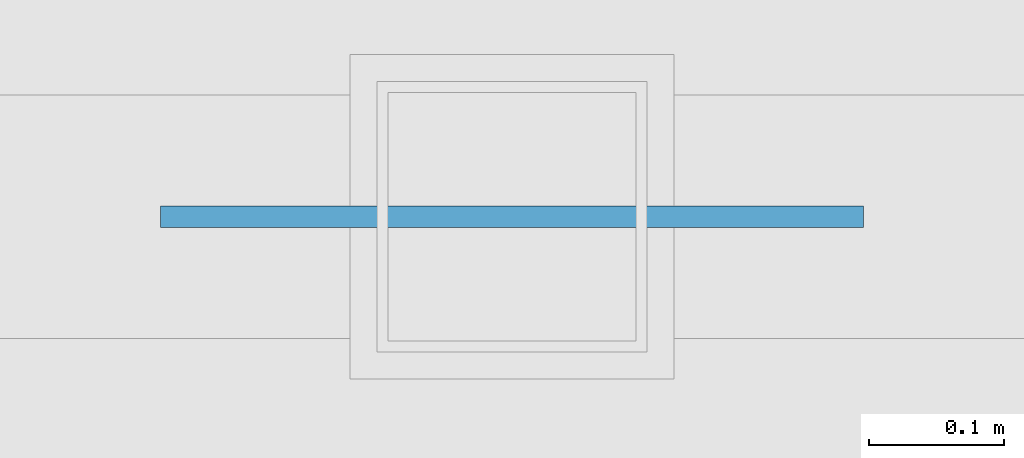
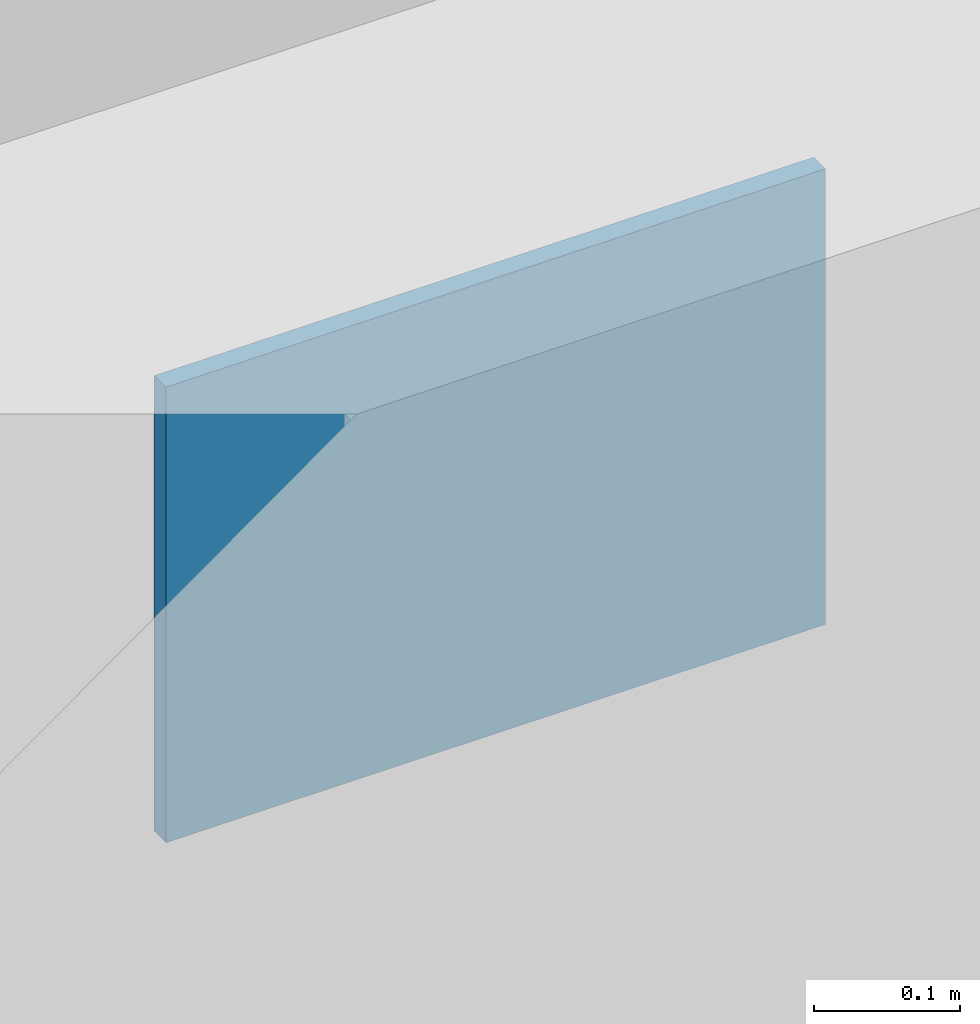
# One storey, part 123 of 160: 1 plate.
"""IFC4 building model written with IfcOpenShell, lengths in metres."""

from ifc_helpers import new_model, si_unit, direction, frame, origin, origin_2d, place, context, subcontext, project, spatial, rectangle, extrude, material, type_object, element, save


model = new_model("IFC4")

# Units and contexts
model_context = context("Model", 3, precision=1e-05, world=origin(), true_north=direction((0.0, 1.0)))
body_context = subcontext(model_context, "Body", "Model", "MODEL_VIEW")
ifc_project = project(units=[si_unit("LENGTHUNIT", "METRE"), si_unit("AREAUNIT", "SQUARE_METRE"), si_unit("VOLUMEUNIT", "CUBIC_METRE"), si_unit("PLANEANGLEUNIT", "RADIAN"), si_unit("MASSUNIT", "GRAM", prefix="KILO")], contexts=[model_context])

# Site, building, storey
site_placement = place(None, origin())
site = spatial("IfcSite", under=ifc_project, at=site_placement, CompositionType="ELEMENT")
building_placement = place(site_placement, origin())
building = spatial("IfcBuilding", under=site, at=building_placement, Name="Kharva Crest Polytechnic", CompositionType="ELEMENT")
storey_placement = place(building_placement, frame((0.0, 0.0, 4.5)))
storey = spatial("IfcBuildingStorey", under=building, at=storey_placement, Name="L01", CompositionType="ELEMENT", Elevation=4.5)

# Plate
ifc_material = material(Name="Steel S355", Category="steel")
plate_type = type_object("IfcPlateType", Name="PLT-GUS-520X380X16", PredefinedType="USERDEFINED", material=ifc_material)
plate_placement = place(storey_placement, frame((172.60009765625, 46.800048828125, 3.760009765625), z_axis=(0.0, 0.0, 1.0), x_axis=(1.0, 0.0, 0.0)))
element("IfcPlate", 1, at=plate_placement, inside=storey, type_object=plate_type, Name="L01 Braced Frame Gusset Plate 8", ObjectType="GUSSET PLATE", PredefinedType="USERDEFINED", context=body_context, shape_type="SweptSolid", body=[
    extrude(rectangle(XDim=0.52001953125, YDim=0.01611328125, at=origin_2d()), origin(), (0.0, 0.0, 1.0), 0.3798828125),
])

save(model, "model.ifc")
